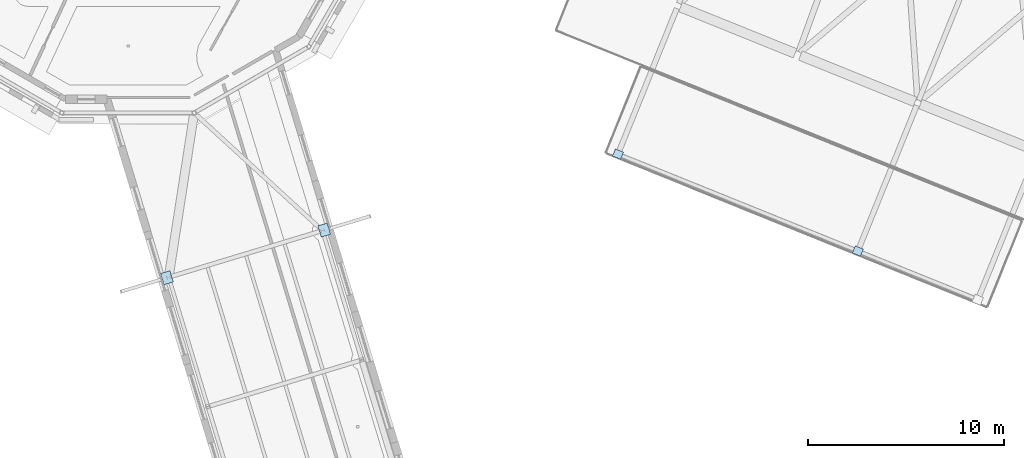
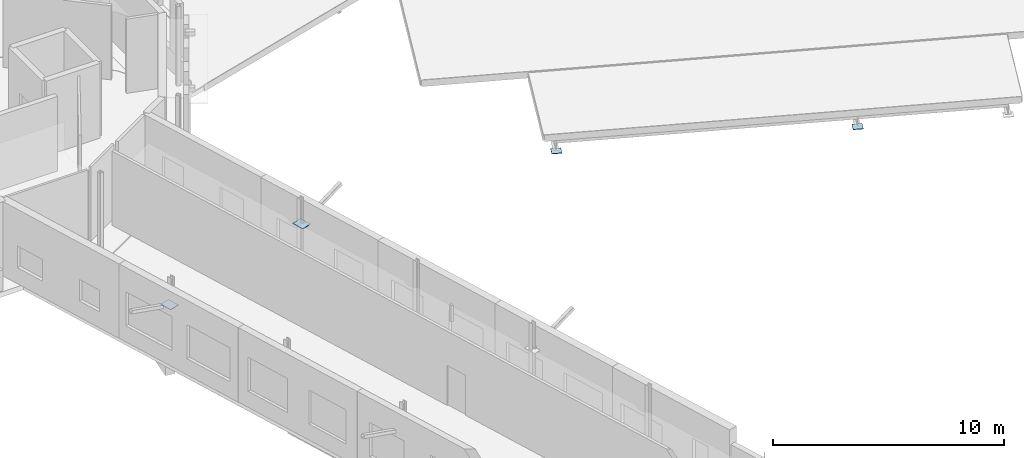
# One storey, part 44 of 90: 4 plates.
"""IFC4 building model written with IfcOpenShell, lengths in metres."""

from ifc_helpers import new_model, si_unit, direction, frame, origin, origin_2d, place, context, subcontext, project, spatial, rectangle, extrude, material, layer, layer_set, type_object, element, save


model = new_model("IFC4")

# Units and contexts
model_context = context("Model", 3, precision=1e-05, world=origin(), true_north=direction((0.0, 1.0)))
body_context = subcontext(model_context, "Body", "Model", "MODEL_VIEW")
ifc_project = project(units=[si_unit("LENGTHUNIT", "METRE"), si_unit("AREAUNIT", "SQUARE_METRE"), si_unit("VOLUMEUNIT", "CUBIC_METRE"), si_unit("PLANEANGLEUNIT", "RADIAN"), si_unit("MASSUNIT", "GRAM", prefix="KILO")], contexts=[model_context])

# Site, building, storey
site_placement = place(None, origin())
site = spatial("IfcSite", under=ifc_project, at=site_placement, CompositionType="ELEMENT")
building_placement = place(site_placement, origin())
building = spatial("IfcBuilding", under=site, at=building_placement, Name="Wrenclough Park School", CompositionType="ELEMENT")
storey_placement = place(building_placement, frame((0.0, 0.0, 8.39990234375)))
storey = spatial("IfcBuildingStorey", under=building, at=storey_placement, Name="L02", CompositionType="ELEMENT", Elevation=8.39990234375)

# Plates
ifc_material = material(Name="Structural steel S355", Category="steel")
ifc_layer_1 = layer(ifc_material, 0.028076171875)
ifc_layer_set_1 = layer_set([ifc_layer_1], Name="Structural steel S355")
plate_type_1 = type_object("IfcPlateType", Name="STR-PL-KN3", PredefinedType="USERDEFINED", material=ifc_layer_set_1)
for number, where, z_axis, x_axis, name in (
    (1, (18.488525390625, 68.484375, 2.73583984375), (0.0, 0.0, 1.0), (-0.290007395287, 0.957024404432, 0.0), "W23 eave knee-brace gusset plate 5"),
    (2, (26.511474609375, 70.91552734375, 2.73583984375), (0.0, 0.0, 1.0), (-0.290007395287, 0.957024404432, 0.0), "W23 eave knee-brace gusset plate 6"),
):
    element("IfcPlate", number, at=place(storey_placement, frame(where, z_axis=z_axis, x_axis=x_axis)), inside=storey, type_object=plate_type_1, Name=name, ObjectType="GUSSET PLATE", PredefinedType="USERDEFINED", context=body_context, shape_type="SweptSolid", body=[
        extrude(rectangle(XDim=0.60009765625, YDim=0.5, at=origin_2d()), origin(), (0.0, 0.0, 1.0), 0.028076171875),
    ])
ifc_layer_2 = layer(ifc_material, 0.02392578125)
ifc_layer_set_2 = layer_set([ifc_layer_2], Name="Structural steel S355")
plate_type_2 = type_object("IfcPlateType", Name="STR-PL-KN5", PredefinedType="USERDEFINED", material=ifc_layer_set_2)
for number, where, z_axis, x_axis, name in (
    (3, (41.495849609375, 74.791015625, -0.9990234375), (0.0, 0.0, 1.0), (0.927183854567, -0.374606593416, 0.0), "EAVE-COURTYARD raking V-strut tip cleat plate 1"),
    (4, (53.734619140625, 69.84619140625, -0.9990234375), (0.0, 0.0, 1.0), (0.927183854567, -0.374606593416, 0.0), "EAVE-COURTYARD raking V-strut tip cleat plate 2"),
):
    element("IfcPlate", number, at=place(storey_placement, frame(where, z_axis=z_axis, x_axis=x_axis)), inside=storey, type_object=plate_type_2, Name=name, ObjectType="GUSSET PLATE", PredefinedType="USERDEFINED", context=body_context, shape_type="SweptSolid", body=[
        extrude(rectangle(XDim=0.449951171875, YDim=0.39990234375, at=origin_2d()), origin(), (0.0, 0.0, 1.0), 0.02392578125),
    ])

save(model, "model.ifc")
